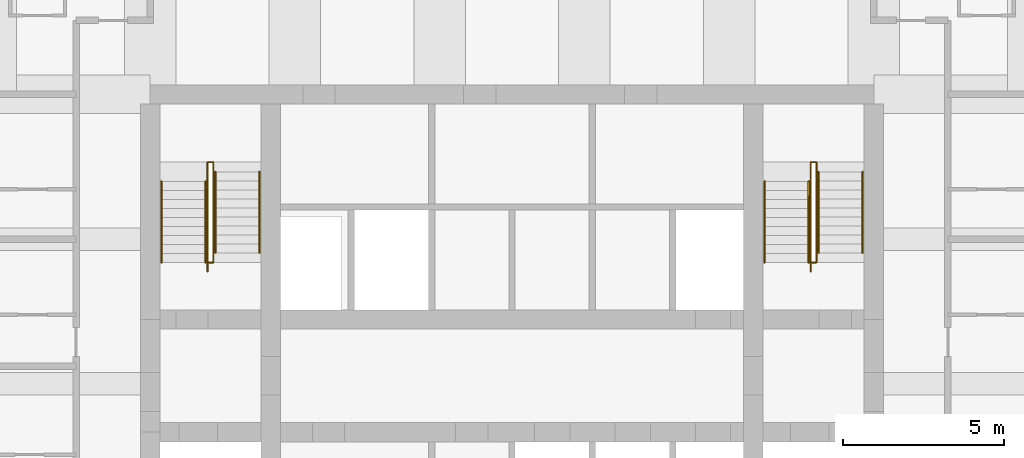
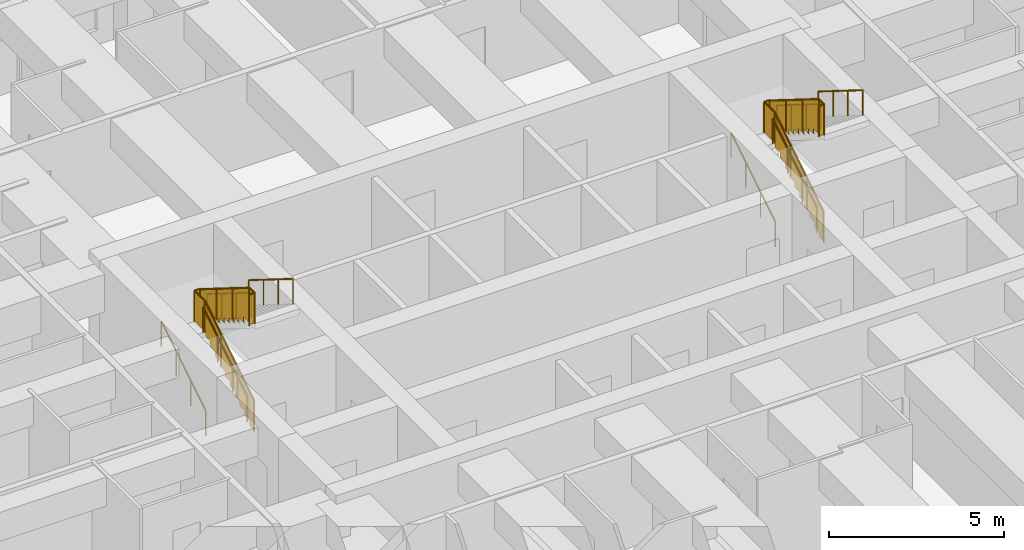
# One storey, part 8 of 8: 12 railings.
"""IFC4 building model written with IfcOpenShell, lengths in metres."""

from ifc_helpers import new_model, si_unit, direction, frame, origin, origin_2d, place, context, subcontext, project, spatial, polyline, circle, outline, extrude, material, type_object, element, save


model = new_model("IFC4")

# Units and contexts
model_context = context("Model", 3, precision=1e-05, world=origin(), true_north=direction((0.0, 1.0)))
body_context = subcontext(model_context, "Body", "Model", "MODEL_VIEW")
ifc_project = project(units=[si_unit("LENGTHUNIT", "METRE"), si_unit("AREAUNIT", "SQUARE_METRE"), si_unit("VOLUMEUNIT", "CUBIC_METRE"), si_unit("PLANEANGLEUNIT", "RADIAN"), si_unit("MASSUNIT", "GRAM", prefix="KILO")], contexts=[model_context])

# Site, building, storey
site_placement = place(None, origin())
site = spatial("IfcSite", under=ifc_project, at=site_placement, CompositionType="ELEMENT")
building_placement = place(site_placement, origin())
building = spatial("IfcBuilding", under=site, at=building_placement, Name="Kilele Tower Hotel", CompositionType="ELEMENT")
storey_placement = place(building_placement, frame((0.0, 0.0, 142.39990234375)))
storey = spatial("IfcBuildingStorey", under=building, at=storey_placement, Name="L37", CompositionType="ELEMENT", Elevation=142.39990234375)

# Railings
ifc_material_1 = material(Name="Steel handrail", Category="steel")
railing_type_1 = type_object("IfcRailingType", Name="Handrail 900", PredefinedType="HANDRAIL", material=ifc_material_1)
for number, where, name in (
    (1, (13.85009765625, 21.77490234375, 0.175048828125), "Handrail ST1 flight 1"),
    (2, (15.22509765625, 21.77490234375, 0.175048828125), "Handrail ST1 flight 1"),
):
    element("IfcRailing", number, at=place(storey_placement, frame(where)), inside=storey, type_object=railing_type_1, Name=name, PredefinedType="HANDRAIL", context=body_context, shape_type="SweptSolid", body=[
        extrude(circle(Radius=0.02490234375, at=origin_2d()), frame((0.0, 0.0, 0.875), z_axis=(0.0, 0.848007534815, 0.529984170421), x_axis=(-1.0, 0.0, 0.0)), (0.0, 0.0, 1.0), 2.9716796875),
        extrude(circle(Radius=0.02001953125, at=origin_2d()), origin(), (0.0, 0.0, 1.0), 0.849853515625),
        extrude(circle(Radius=0.02001953125, at=origin_2d()), frame((0.0, 0.840087890625, 0.52490234375)), (0.0, 0.0, 1.0), 0.849853515625),
        extrude(circle(Radius=0.02001953125, at=origin_2d()), frame((0.0, 1.679931640625, 1.050048828125)), (0.0, 0.0, 1.0), 0.849853515625),
        extrude(circle(Radius=0.02001953125, at=origin_2d()), frame((0.0, 2.52001953125, 1.574951171875)), (0.0, 0.0, 1.0), 0.849853515625),
    ])
for number, where, name in (
    (3, (15.52490234375, 24.594970703125, 1.925048828125), "Handrail ST1 flight 2"),
    (4, (16.89990234375, 24.594970703125, 1.925048828125), "Handrail ST1 flight 2"),
):
    element("IfcRailing", number, at=place(storey_placement, frame(where)), inside=storey, type_object=railing_type_1, Name=name, PredefinedType="HANDRAIL", context=body_context, shape_type="SweptSolid", body=[
        extrude(circle(Radius=0.02490234375, at=origin_2d()), frame((0.0, 0.0, 0.875), z_axis=(0.0, -0.848007534815, 0.529984170421), x_axis=(1.0, 0.0, 0.0)), (0.0, 0.0, 1.0), 2.9716796875),
        extrude(circle(Radius=0.02001953125, at=origin_2d()), origin(), (0.0, 0.0, 1.0), 0.849853515625),
        extrude(circle(Radius=0.02001953125, at=origin_2d()), frame((0.0, -0.840087890625, 0.52490234375)), (0.0, 0.0, 1.0), 0.849853515625),
        extrude(circle(Radius=0.02001953125, at=origin_2d()), frame((0.0, -1.679931640625, 1.050048828125)), (0.0, 0.0, 1.0), 0.849853515625),
        extrude(circle(Radius=0.02001953125, at=origin_2d()), frame((0.0, -2.52001953125, 1.574951171875)), (0.0, 0.0, 1.0), 0.849853515625),
    ])
for number, where, name in (
    (5, (32.60009765625, 21.77490234375, 0.175048828125), "Handrail ST2 flight 1"),
    (6, (33.97509765625, 21.77490234375, 0.175048828125), "Handrail ST2 flight 1"),
):
    element("IfcRailing", number, at=place(storey_placement, frame(where)), inside=storey, type_object=railing_type_1, Name=name, PredefinedType="HANDRAIL", context=body_context, shape_type="SweptSolid", body=[
        extrude(circle(Radius=0.02490234375, at=origin_2d()), frame((0.0, 0.0, 0.875), z_axis=(0.0, 0.848007534815, 0.529984170421), x_axis=(-1.0, 0.0, 0.0)), (0.0, 0.0, 1.0), 2.9716796875),
        extrude(circle(Radius=0.02001953125, at=origin_2d()), origin(), (0.0, 0.0, 1.0), 0.849853515625),
        extrude(circle(Radius=0.02001953125, at=origin_2d()), frame((0.0, 0.840087890625, 0.52490234375)), (0.0, 0.0, 1.0), 0.849853515625),
        extrude(circle(Radius=0.02001953125, at=origin_2d()), frame((0.0, 1.679931640625, 1.050048828125)), (0.0, 0.0, 1.0), 0.849853515625),
        extrude(circle(Radius=0.02001953125, at=origin_2d()), frame((0.0, 2.52001953125, 1.574951171875)), (0.0, 0.0, 1.0), 0.849853515625),
    ])
for number, where, name in (
    (7, (34.27490234375, 24.594970703125, 1.925048828125), "Handrail ST2 flight 2"),
    (8, (35.64990234375, 24.594970703125, 1.925048828125), "Handrail ST2 flight 2"),
):
    element("IfcRailing", number, at=place(storey_placement, frame(where)), inside=storey, type_object=railing_type_1, Name=name, PredefinedType="HANDRAIL", context=body_context, shape_type="SweptSolid", body=[
        extrude(circle(Radius=0.02490234375, at=origin_2d()), frame((0.0, 0.0, 0.875), z_axis=(0.0, -0.848007534815, 0.529984170421), x_axis=(1.0, 0.0, 0.0)), (0.0, 0.0, 1.0), 2.9716796875),
        extrude(circle(Radius=0.02001953125, at=origin_2d()), origin(), (0.0, 0.0, 1.0), 0.849853515625),
        extrude(circle(Radius=0.02001953125, at=origin_2d()), frame((0.0, -0.840087890625, 0.52490234375)), (0.0, 0.0, 1.0), 0.849853515625),
        extrude(circle(Radius=0.02001953125, at=origin_2d()), frame((0.0, -1.679931640625, 1.050048828125)), (0.0, 0.0, 1.0), 0.849853515625),
        extrude(circle(Radius=0.02001953125, at=origin_2d()), frame((0.0, -2.52001953125, 1.574951171875)), (0.0, 0.0, 1.0), 0.849853515625),
    ])
ifc_material_2 = material(Name="Steel guard", Category="steel")
railing_type_2 = type_object("IfcRailingType", Name="Stair guard 1100", PredefinedType="GUARDRAIL", material=ifc_material_2)
railing_1_placement = place(storey_placement, frame((15.284912109375, 21.4951171875, 0.0)))
element("IfcRailing", 9, at=railing_1_placement, inside=storey, type_object=railing_type_2, Name="Stair well guard ST1 flight 1", PredefinedType="GUARDRAIL", context=body_context, shape_type="SweptSolid", body=[
    extrude(circle(Radius=0.02490234375, at=origin_2d()), frame((0.0, 0.0, 1.0751953125), z_axis=(0.0, 0.847981687118, 0.530025526095), x_axis=(-1.0, 0.0, 0.0)), (0.0, 0.0, 1.0), 3.3017578125),
    extrude(circle(Radius=0.02490234375, at=origin_2d()), frame((0.0, 2.7998046875, 2.8251953125), z_axis=(0.0, 1.0, 0.0), x_axis=(-1.0, 0.0, 0.0)), (0.0, 0.0, 1.0), 0.60009765625),
    extrude(circle(Radius=0.02490234375, at=origin_2d()), frame((0.0, 3.39990234375, 2.8251953125), z_axis=(1.0, 0.0, 0.0), x_axis=(0.0, 1.0, 0.0)), (0.0, 0.0, 1.0), 0.18017578125),
    extrude(circle(Radius=0.02490234375, at=origin_2d()), origin(), (0.0, 0.0, 1.0), 1.050048828125),
    extrude(circle(Radius=0.02490234375, at=origin_2d()), frame((0.0, 0.933349609375, 0.583251953125)), (0.0, 0.0, 1.0), 1.050048828125),
    extrude(circle(Radius=0.02490234375, at=origin_2d()), frame((0.0, 1.866455078125, 1.166748046875)), (0.0, 0.0, 1.0), 1.050048828125),
    extrude(circle(Radius=0.02490234375, at=origin_2d()), frame((0.0, 2.7998046875, 1.75)), (0.0, 0.0, 1.0), 1.050048828125),
    extrude(circle(Radius=0.02490234375, at=origin_2d()), frame((0.0, 3.39990234375, 1.75)), (0.0, 0.0, 1.0), 1.050048828125),
    extrude(circle(Radius=0.02490234375, at=origin_2d()), frame((0.18017578125, 3.39990234375, 1.75)), (0.0, 0.0, 1.0), 1.050048828125),
    extrude(outline(polyline([(0.012451171875, 0.030029296875), (0.25, 0.030029296875), (0.25, 0.205078125), (0.530029296875, 0.205078125), (0.530029296875, 0.380126953125), (0.809814453125, 0.380126953125), (0.809814453125, 0.554931640625), (1.08984375, 0.554931640625), (1.08984375, 0.72998046875), (1.369873046875, 0.72998046875), (1.369873046875, 0.905029296875), (1.64990234375, 0.905029296875), (1.64990234375, 1.080078125), (1.929931640625, 1.080078125), (1.929931640625, 1.255126953125), (2.209716796875, 1.255126953125), (2.209716796875, 1.429931640625), (2.48974609375, 1.429931640625), (2.48974609375, 1.60498046875), (2.769775390625, 1.60498046875), (2.769775390625, 1.780029296875), (2.787353515625, 1.780029296875), (2.787353515625, 2.787841796875), (0.012451171875, 1.053466796875), (0.012451171875, 0.030029296875)])), frame((-0.005859375, 0.0, 0.0), z_axis=(1.0, 0.0, 0.0), x_axis=(0.0, 1.0, 0.0)), (0.0, 0.0, 1.0), 0.011962890625),
    extrude(outline(polyline([(0.012451171875, 0.030029296875), (0.587646484375, 0.030029296875), (0.587646484375, 1.050048828125), (0.012451171875, 1.050048828125), (0.012451171875, 0.030029296875)])), frame((-0.005859375, 2.7998046875, 1.75), z_axis=(1.0, 0.0, 0.0), x_axis=(0.0, 1.0, 0.0)), (0.0, 0.0, 1.0), 0.011962890625),
    extrude(outline(polyline([(0.012451171875, 0.030029296875), (0.18017578125, 0.030029296875), (0.18017578125, 1.050048828125), (0.012451171875, 1.050048828125), (0.012451171875, 0.030029296875)])), frame((0.0, 3.40576171875, 1.75), z_axis=(0.0, -1.0, 0.0), x_axis=(1.0, 0.0, 0.0)), (0.0, 0.0, 1.0), 0.011962890625),
])
railing_2_placement = place(storey_placement, frame((15.465087890625, 24.89501953125, 1.75)))
element("IfcRailing", 10, at=railing_2_placement, inside=storey, type_object=railing_type_2, Name="Stair well guard ST1 flight 2", PredefinedType="GUARDRAIL", context=body_context, shape_type="SweptSolid", body=[
    extrude(circle(Radius=0.02490234375, at=origin_2d()), frame((0.0, 0.0, 1.0751953125), z_axis=(0.0, -1.0, 0.0), x_axis=(1.0, 0.0, 0.0)), (0.0, 0.0, 1.0), 0.02001953125),
    extrude(circle(Radius=0.02490234375, at=origin_2d()), frame((0.0, -0.02001953125, 1.0751953125), z_axis=(0.0, -0.848002457836, 0.529992293815), x_axis=(1.0, 0.0, 0.0)), (0.0, 0.0, 1.0), 3.302001953125),
    extrude(circle(Radius=0.02490234375, at=origin_2d()), frame((0.0, -2.820068359375, 2.8251953125), z_axis=(0.0, -1.0, 0.0), x_axis=(1.0, 0.0, 0.0)), (0.0, 0.0, 1.0), 0.300048828125),
    extrude(circle(Radius=0.02490234375, at=origin_2d()), frame((0.0, -3.1201171875, 2.8251953125), z_axis=(-1.0, 0.0, 0.0), x_axis=(0.0, -1.0, 0.0)), (0.0, 0.0, 1.0), 0.18017578125),
    extrude(circle(Radius=0.02490234375, at=origin_2d()), origin(), (0.0, 0.0, 1.0), 1.050048828125),
    extrude(circle(Radius=0.02490234375, at=origin_2d()), frame((0.0, -0.02001953125, 0.0)), (0.0, 0.0, 1.0), 1.050048828125),
    extrude(circle(Radius=0.02490234375, at=origin_2d()), frame((0.0, -0.953369140625, 0.583251953125)), (0.0, 0.0, 1.0), 1.050048828125),
    extrude(circle(Radius=0.02490234375, at=origin_2d()), frame((0.0, -1.88671875, 1.166748046875)), (0.0, 0.0, 1.0), 1.050048828125),
    extrude(circle(Radius=0.02490234375, at=origin_2d()), frame((0.0, -2.820068359375, 1.75)), (0.0, 0.0, 1.0), 1.050048828125),
    extrude(circle(Radius=0.02490234375, at=origin_2d()), frame((0.0, -3.1201171875, 1.75)), (0.0, 0.0, 1.0), 1.050048828125),
    extrude(circle(Radius=0.02490234375, at=origin_2d()), frame((-0.18017578125, -3.1201171875, 1.75)), (0.0, 0.0, 1.0), 1.050048828125),
    extrude(outline(polyline([(0.012451171875, 0.030029296875), (0.25, 0.030029296875), (0.25, 0.205078125), (0.530029296875, 0.205078125), (0.530029296875, 0.380126953125), (0.81005859375, 0.380126953125), (0.81005859375, 0.554931640625), (1.090087890625, 0.554931640625), (1.090087890625, 0.72998046875), (1.3701171875, 0.72998046875), (1.3701171875, 0.905029296875), (1.64990234375, 0.905029296875), (1.64990234375, 1.080078125), (1.929931640625, 1.080078125), (1.929931640625, 1.255126953125), (2.2099609375, 1.255126953125), (2.2099609375, 1.429931640625), (2.489990234375, 1.429931640625), (2.489990234375, 1.60498046875), (2.77001953125, 1.60498046875), (2.77001953125, 1.780029296875), (2.78759765625, 1.780029296875), (2.78759765625, 2.787841796875), (0.012451171875, 1.053466796875), (0.012451171875, 0.030029296875)])), frame((0.005859375, -0.02001953125, 0.0), z_axis=(-1.0, 0.0, 0.0), x_axis=(0.0, -1.0, 0.0)), (0.0, 0.0, 1.0), 0.011962890625),
    extrude(outline(polyline([(0.012451171875, 0.030029296875), (0.28759765625, 0.030029296875), (0.28759765625, 1.050048828125), (0.012451171875, 1.050048828125), (0.012451171875, 0.030029296875)])), frame((0.005859375, -2.820068359375, 1.75), z_axis=(-1.0, 0.0, 0.0), x_axis=(0.0, -1.0, 0.0)), (0.0, 0.0, 1.0), 0.011962890625),
    extrude(outline(polyline([(0.012451171875, 0.030029296875), (0.18017578125, 0.030029296875), (0.18017578125, 1.050048828125), (0.012451171875, 1.050048828125), (0.012451171875, 0.030029296875)])), frame((0.0, -3.1259765625, 1.75), z_axis=(0.0, 1.0, 0.0), x_axis=(-1.0, 0.0, 0.0)), (0.0, 0.0, 1.0), 0.011962890625),
])
railing_3_placement = place(storey_placement, frame((34.034912109375, 21.4951171875, 0.0)))
element("IfcRailing", 11, at=railing_3_placement, inside=storey, type_object=railing_type_2, Name="Stair well guard ST2 flight 1", PredefinedType="GUARDRAIL", context=body_context, shape_type="SweptSolid", body=[
    extrude(circle(Radius=0.02490234375, at=origin_2d()), frame((0.0, 0.0, 1.0751953125), z_axis=(0.0, 0.847981687118, 0.530025526095), x_axis=(-1.0, 0.0, 0.0)), (0.0, 0.0, 1.0), 3.3017578125),
    extrude(circle(Radius=0.02490234375, at=origin_2d()), frame((0.0, 2.7998046875, 2.8251953125), z_axis=(0.0, 1.0, 0.0), x_axis=(-1.0, 0.0, 0.0)), (0.0, 0.0, 1.0), 0.60009765625),
    extrude(circle(Radius=0.02490234375, at=origin_2d()), frame((0.0, 3.39990234375, 2.8251953125), z_axis=(1.0, 0.0, 0.0), x_axis=(0.0, 1.0, 0.0)), (0.0, 0.0, 1.0), 0.18017578125),
    extrude(circle(Radius=0.02490234375, at=origin_2d()), origin(), (0.0, 0.0, 1.0), 1.050048828125),
    extrude(circle(Radius=0.02490234375, at=origin_2d()), frame((0.0, 0.933349609375, 0.583251953125)), (0.0, 0.0, 1.0), 1.050048828125),
    extrude(circle(Radius=0.02490234375, at=origin_2d()), frame((0.0, 1.866455078125, 1.166748046875)), (0.0, 0.0, 1.0), 1.050048828125),
    extrude(circle(Radius=0.02490234375, at=origin_2d()), frame((0.0, 2.7998046875, 1.75)), (0.0, 0.0, 1.0), 1.050048828125),
    extrude(circle(Radius=0.02490234375, at=origin_2d()), frame((0.0, 3.39990234375, 1.75)), (0.0, 0.0, 1.0), 1.050048828125),
    extrude(circle(Radius=0.02490234375, at=origin_2d()), frame((0.18017578125, 3.39990234375, 1.75)), (0.0, 0.0, 1.0), 1.050048828125),
    extrude(outline(polyline([(0.012451171875, 0.030029296875), (0.25, 0.030029296875), (0.25, 0.205078125), (0.530029296875, 0.205078125), (0.530029296875, 0.380126953125), (0.809814453125, 0.380126953125), (0.809814453125, 0.554931640625), (1.08984375, 0.554931640625), (1.08984375, 0.72998046875), (1.369873046875, 0.72998046875), (1.369873046875, 0.905029296875), (1.64990234375, 0.905029296875), (1.64990234375, 1.080078125), (1.929931640625, 1.080078125), (1.929931640625, 1.255126953125), (2.209716796875, 1.255126953125), (2.209716796875, 1.429931640625), (2.48974609375, 1.429931640625), (2.48974609375, 1.60498046875), (2.769775390625, 1.60498046875), (2.769775390625, 1.780029296875), (2.787353515625, 1.780029296875), (2.787353515625, 2.787841796875), (0.012451171875, 1.053466796875), (0.012451171875, 0.030029296875)])), frame((-0.005859375, 0.0, 0.0), z_axis=(1.0, 0.0, 0.0), x_axis=(0.0, 1.0, 0.0)), (0.0, 0.0, 1.0), 0.011962890625),
    extrude(outline(polyline([(0.012451171875, 0.030029296875), (0.587646484375, 0.030029296875), (0.587646484375, 1.050048828125), (0.012451171875, 1.050048828125), (0.012451171875, 0.030029296875)])), frame((-0.005859375, 2.7998046875, 1.75), z_axis=(1.0, 0.0, 0.0), x_axis=(0.0, 1.0, 0.0)), (0.0, 0.0, 1.0), 0.011962890625),
    extrude(outline(polyline([(0.012451171875, 0.030029296875), (0.18017578125, 0.030029296875), (0.18017578125, 1.050048828125), (0.012451171875, 1.050048828125), (0.012451171875, 0.030029296875)])), frame((0.0, 3.40576171875, 1.75), z_axis=(0.0, -1.0, 0.0), x_axis=(1.0, 0.0, 0.0)), (0.0, 0.0, 1.0), 0.011962890625),
])
railing_4_placement = place(storey_placement, frame((34.215087890625, 24.89501953125, 1.75)))
element("IfcRailing", 12, at=railing_4_placement, inside=storey, type_object=railing_type_2, Name="Stair well guard ST2 flight 2", PredefinedType="GUARDRAIL", context=body_context, shape_type="SweptSolid", body=[
    extrude(circle(Radius=0.02490234375, at=origin_2d()), frame((0.0, 0.0, 1.0751953125), z_axis=(0.0, -1.0, 0.0), x_axis=(1.0, 0.0, 0.0)), (0.0, 0.0, 1.0), 0.02001953125),
    extrude(circle(Radius=0.02490234375, at=origin_2d()), frame((0.0, -0.02001953125, 1.0751953125), z_axis=(0.0, -0.848002457836, 0.529992293815), x_axis=(1.0, 0.0, 0.0)), (0.0, 0.0, 1.0), 3.302001953125),
    extrude(circle(Radius=0.02490234375, at=origin_2d()), frame((0.0, -2.820068359375, 2.8251953125), z_axis=(0.0, -1.0, 0.0), x_axis=(1.0, 0.0, 0.0)), (0.0, 0.0, 1.0), 0.300048828125),
    extrude(circle(Radius=0.02490234375, at=origin_2d()), frame((0.0, -3.1201171875, 2.8251953125), z_axis=(-1.0, 0.0, 0.0), x_axis=(0.0, -1.0, 0.0)), (0.0, 0.0, 1.0), 0.18017578125),
    extrude(circle(Radius=0.02490234375, at=origin_2d()), origin(), (0.0, 0.0, 1.0), 1.050048828125),
    extrude(circle(Radius=0.02490234375, at=origin_2d()), frame((0.0, -0.02001953125, 0.0)), (0.0, 0.0, 1.0), 1.050048828125),
    extrude(circle(Radius=0.02490234375, at=origin_2d()), frame((0.0, -0.953369140625, 0.583251953125)), (0.0, 0.0, 1.0), 1.050048828125),
    extrude(circle(Radius=0.02490234375, at=origin_2d()), frame((0.0, -1.88671875, 1.166748046875)), (0.0, 0.0, 1.0), 1.050048828125),
    extrude(circle(Radius=0.02490234375, at=origin_2d()), frame((0.0, -2.820068359375, 1.75)), (0.0, 0.0, 1.0), 1.050048828125),
    extrude(circle(Radius=0.02490234375, at=origin_2d()), frame((0.0, -3.1201171875, 1.75)), (0.0, 0.0, 1.0), 1.050048828125),
    extrude(circle(Radius=0.02490234375, at=origin_2d()), frame((-0.18017578125, -3.1201171875, 1.75)), (0.0, 0.0, 1.0), 1.050048828125),
    extrude(outline(polyline([(0.012451171875, 0.030029296875), (0.25, 0.030029296875), (0.25, 0.205078125), (0.530029296875, 0.205078125), (0.530029296875, 0.380126953125), (0.81005859375, 0.380126953125), (0.81005859375, 0.554931640625), (1.090087890625, 0.554931640625), (1.090087890625, 0.72998046875), (1.3701171875, 0.72998046875), (1.3701171875, 0.905029296875), (1.64990234375, 0.905029296875), (1.64990234375, 1.080078125), (1.929931640625, 1.080078125), (1.929931640625, 1.255126953125), (2.2099609375, 1.255126953125), (2.2099609375, 1.429931640625), (2.489990234375, 1.429931640625), (2.489990234375, 1.60498046875), (2.77001953125, 1.60498046875), (2.77001953125, 1.780029296875), (2.78759765625, 1.780029296875), (2.78759765625, 2.787841796875), (0.012451171875, 1.053466796875), (0.012451171875, 0.030029296875)])), frame((0.005859375, -0.02001953125, 0.0), z_axis=(-1.0, 0.0, 0.0), x_axis=(0.0, -1.0, 0.0)), (0.0, 0.0, 1.0), 0.011962890625),
    extrude(outline(polyline([(0.012451171875, 0.030029296875), (0.28759765625, 0.030029296875), (0.28759765625, 1.050048828125), (0.012451171875, 1.050048828125), (0.012451171875, 0.030029296875)])), frame((0.005859375, -2.820068359375, 1.75), z_axis=(-1.0, 0.0, 0.0), x_axis=(0.0, -1.0, 0.0)), (0.0, 0.0, 1.0), 0.011962890625),
    extrude(outline(polyline([(0.012451171875, 0.030029296875), (0.18017578125, 0.030029296875), (0.18017578125, 1.050048828125), (0.012451171875, 1.050048828125), (0.012451171875, 0.030029296875)])), frame((0.0, -3.1259765625, 1.75), z_axis=(0.0, 1.0, 0.0), x_axis=(-1.0, 0.0, 0.0)), (0.0, 0.0, 1.0), 0.011962890625),
])

save(model, "model.ifc")
